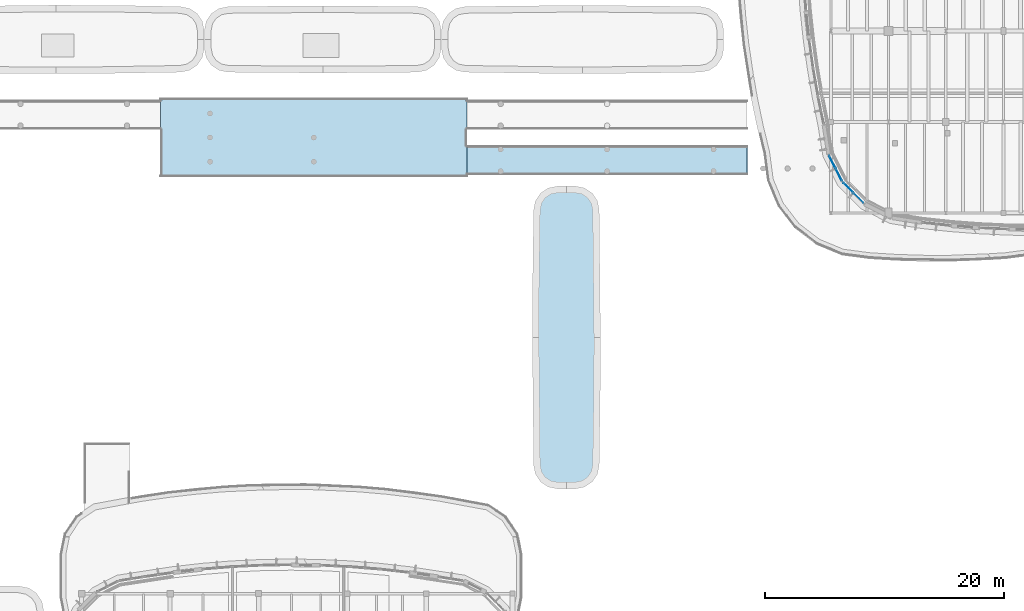
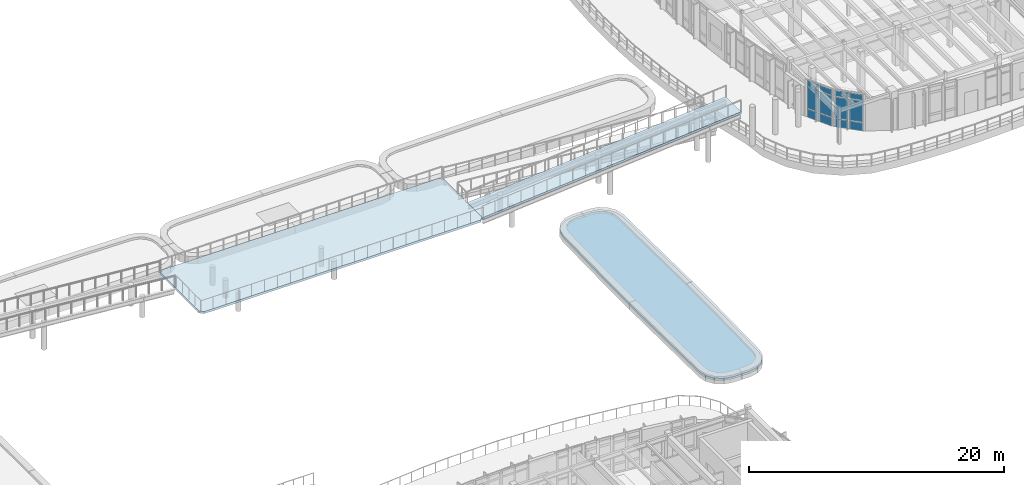
# One storey, part 70 of 111: 12 plates, 3 slabs, 2 elements without a shape of their own.
"""IFC4 building model written with IfcOpenShell, lengths in metres."""

import ifcopenshell
import ifcopenshell.guid

model = None  # the IFC model being written
_history = None  # IfcOwnerHistory: only IFC2X3 demands one
_inside = {}  # id of a spatial element -> (the spatial element, [elements in it])
_under = {}  # id of a project, library or spatial element -> (it, [spatial elements below it])
_declared = {}  # id of a project -> (the project, [libraries it declares])
_typed = {}  # id of a type object -> (the type object, [elements of that type])
_made_of = {}  # id of a material, layer set ... -> (it, [elements and type objects made of it])


def new_model(schema):
    """Start an empty IFC model of exactly this schema.

    Asked for "IFC4X3", IfcOpenShell would pick the latest addendum, in which some entities
    have other attributes; the version numbers below select the first issue.
    IFC2X3 requires an IfcOwnerHistory on every rooted entity: one is made here for all.
    """
    global model, _history
    if schema == "IFC4X3":
        model = ifcopenshell.file(schema_version=(4, 3, 0, 0))
    else:
        model = ifcopenshell.file(schema=schema)
    _inside.clear()
    _under.clear()
    _declared.clear()
    _typed.clear()
    _made_of.clear()
    _history = None
    if model.schema == "IFC2X3":
        org = make("IfcOrganization", Name="unknown")
        user = make(
            "IfcPersonAndOrganization",
            ThePerson=make("IfcPerson", FamilyName="unknown"),
            TheOrganization=org,
        )
        app = make(
            "IfcApplication",
            ApplicationDeveloper=org,
            Version="unknown",
            ApplicationFullName="unknown",
            ApplicationIdentifier="unknown",
        )
        _history = make(
            "IfcOwnerHistory",
            OwningUser=user,
            OwningApplication=app,
            ChangeAction="ADDED",
            CreationDate=0,
        )
    return model


def make(cls, **values):
    """One entity of the class cls with the attributes given. An attribute that is None is left unset."""
    return model.create_entity(
        cls, **{name: value for name, value in values.items() if value is not None}
    )


def rooted(cls, **values):
    """An entity with a GlobalId (a new one), such as an element, a storey or a relation."""
    return make(cls, GlobalId=ifcopenshell.guid.new(), OwnerHistory=_history, **values)


def si_unit(unit_type, name, prefix=None):
    """IfcSIUnit, for example si_unit("LENGTHUNIT", "METRE", prefix="MILLI")."""
    return make("IfcSIUnit", UnitType=unit_type, Prefix=prefix, Name=name)


def assignment(units):
    """IfcUnitAssignment: the units of a project."""
    return None if units is None else make("IfcUnitAssignment", Units=units)


def point(xyz):
    """IfcCartesianPoint."""
    return None if xyz is None else make("IfcCartesianPoint", Coordinates=xyz)


def direction(xyz):
    """IfcDirection."""
    return None if xyz is None else make("IfcDirection", DirectionRatios=xyz)


def frame(location, z_axis=None, x_axis=None):
    """IfcAxis2Placement3D, a coordinate frame: its origin and axes. An axis left out is left unset."""
    return make(
        "IfcAxis2Placement3D",
        Location=point(location),
        Axis=direction(z_axis),
        RefDirection=direction(x_axis),
    )


def frame_2d(location, x_axis=None):
    """IfcAxis2Placement2D, a coordinate frame in the plane: its origin and x axis."""
    return make(
        "IfcAxis2Placement2D", Location=point(location), RefDirection=direction(x_axis)
    )


def origin():
    """The frame at (0, 0, 0) with its axes left unset."""
    return frame((0.0, 0.0, 0.0))


def origin_2d():
    """The frame at (0, 0) in the plane with its x axis left unset."""
    return frame_2d((0.0, 0.0))


def place(relative_to, where):
    """IfcLocalPlacement: puts the frame where relative to a parent placement (None: the world)."""
    return make(
        "IfcLocalPlacement", PlacementRelTo=relative_to, RelativePlacement=where
    )


def context(
    kind, dimensions, precision=None, world=None, true_north=None, identifier=None
):
    """IfcGeometricRepresentationContext, for example the 3D "Model" context."""
    return make(
        "IfcGeometricRepresentationContext",
        ContextIdentifier=identifier,
        ContextType=kind,
        CoordinateSpaceDimension=dimensions,
        Precision=precision,
        WorldCoordinateSystem=world,
        TrueNorth=true_north,
    )


def subcontext(parent, identifier, kind, view, scale=None):
    """IfcGeometricRepresentationSubContext, for example "Body" below "Model"."""
    return make(
        "IfcGeometricRepresentationSubContext",
        ContextIdentifier=identifier,
        ContextType=kind,
        ParentContext=parent,
        TargetScale=scale,
        TargetView=view,
    )


def project(units=None, contexts=None):
    """IfcProject with its units and contexts."""
    return rooted(
        "IfcProject",
        Name="project",
        RepresentationContexts=contexts,
        UnitsInContext=assignment(units),
    )


def spatial(cls, under=None, at=None, **own):
    """A site, building, storey or space (cls), placed at a placement, below another one or the project."""
    s = rooted(cls, ObjectPlacement=at, **own)
    if under is not None:
        _under.setdefault(under.id(), (under, []))[1].append(s)
    return s


def polyline(points):
    """IfcPolyline through the points."""
    return make("IfcPolyline", Points=[point(p) for p in points])


def profile(cls, at=None, kind="AREA", **sizes):
    """A parametric profile (cls). Its sizes go by their IFC names, for example OverallWidth=200.0."""
    return make(cls, ProfileType=kind, Position=at, **sizes)


def rectangle(**sizes):
    """IfcRectangleProfileDef."""
    return profile("IfcRectangleProfileDef", **sizes)


def outline(outer, holes=None, kind="AREA"):
    """IfcArbitraryClosedProfileDef: a profile drawn as a closed curve; with holes, ...WithVoids."""
    if holes is None:
        return make("IfcArbitraryClosedProfileDef", ProfileType=kind, OuterCurve=outer)
    return make(
        "IfcArbitraryProfileDefWithVoids",
        ProfileType=kind,
        OuterCurve=outer,
        InnerCurves=holes,
    )


def extrude(swept, where, along, depth):
    """IfcExtrudedAreaSolid: the profile swept, set in the frame where, extruded along a direction by depth."""
    return make(
        "IfcExtrudedAreaSolid",
        SweptArea=swept,
        Position=where,
        ExtrudedDirection=direction(along),
        Depth=depth,
    )


def shape(context_of_items, identifier, shape_type, items):
    """IfcShapeRepresentation: the items that make up one representation, for example the "Body"."""
    return make(
        "IfcShapeRepresentation",
        ContextOfItems=context_of_items,
        RepresentationIdentifier=identifier,
        RepresentationType=shape_type,
        Items=items,
    )


def material(Name=None, Category=None):
    """IfcMaterial."""
    return make("IfcMaterial", Name=Name, Category=Category)


def layer(
    of_material, thickness, ventilated=None, Name=None, Category=None, Priority=None
):
    """IfcMaterialLayer: one layer of a wall or slab, of a material (None: an air gap)."""
    return make(
        "IfcMaterialLayer",
        Material=of_material,
        LayerThickness=thickness,
        IsVentilated=ventilated,
        Name=Name,
        Category=Category,
        Priority=Priority,
    )


def layer_set(layers, Name=None):
    """IfcMaterialLayerSet."""
    return make("IfcMaterialLayerSet", MaterialLayers=layers, LayerSetName=Name)


def made_of(thing, what):
    """Note that an element or type object is made of a material, layer set ...; save() writes the relation."""
    if what is not None:
        _made_of.setdefault(what.id(), (what, []))[1].append(thing)
    return thing


def type_object(cls, material=None, **own):
    """A type object (cls), such as IfcWallType, which elements share."""
    return made_of(rooted(cls, **own), material)


def element(
    cls,
    number,
    at=None,
    inside=None,
    cuts=None,
    type_object=None,
    material=None,
    context=None,
    identifier="Body",
    shape_type=None,
    held_by="IfcProductDefinitionShape",
    body=None,
    shapes=None,
    **own,
):
    """One element of the class cls, such as IfcWall. Its Tag is "e" and its number.

    at: its placement. inside: the storey or other place that contains it. cuts: it is an
    opening in that element (IfcRelVoidsElement). A single representation is given by context,
    identifier, shape_type and body (its items); several are given by shapes. held_by: the class
    of the entity that holds the representations. save() writes the other relations.
    """
    e = rooted(cls, Tag="e%d" % number, ObjectPlacement=at, **own)
    if body is not None:
        shapes = [shape(context, identifier, shape_type, body)]
    if shapes is not None:
        e.Representation = make(held_by, Representations=shapes)
    if inside is not None:
        _inside.setdefault(inside.id(), (inside, []))[1].append(e)
    if cuts is not None:
        rooted(
            "IfcRelVoidsElement", RelatingBuildingElement=cuts, RelatedOpeningElement=e
        )
    if type_object is not None:
        _typed.setdefault(type_object.id(), (type_object, []))[1].append(e)
    return made_of(e, material)


def aggregate(whole, parts):
    """IfcRelAggregates: a whole, such as a stair, and the parts it consists of."""
    return rooted("IfcRelAggregates", RelatingObject=whole, RelatedObjects=parts)


def save(model, path):
    """Write the relations noted so far, then the file.

    IfcRelAggregates (storeys below a building ...), IfcRelContainedInSpatialStructure (elements
    in a storey), IfcRelDefinesByType, IfcRelAssociatesMaterial and IfcRelDeclares: one each for
    every whole, place, type object, material and project.
    """
    for whole, parts in _under.values():
        aggregate(whole, parts)
    for where, things in _inside.values():
        rooted(
            "IfcRelContainedInSpatialStructure",
            RelatedElements=things,
            RelatingStructure=where,
        )
    for kind, things in _typed.values():
        rooted("IfcRelDefinesByType", RelatedObjects=things, RelatingType=kind)
    for what, things in _made_of.values():
        rooted("IfcRelAssociatesMaterial", RelatedObjects=things, RelatingMaterial=what)
    for by, libraries in _declared.values():
        rooted("IfcRelDeclares", RelatingContext=by, RelatedDefinitions=libraries)
    model.write(path)


model = new_model("IFC4")

# Units and contexts
model_context = context("Model", 3, precision=1e-05, world=origin(), true_north=direction((0.0, 1.0)))
body_context = subcontext(model_context, "Body", "Model", "MODEL_VIEW")
ifc_project = project(units=[si_unit("LENGTHUNIT", "METRE"), si_unit("AREAUNIT", "SQUARE_METRE"), si_unit("VOLUMEUNIT", "CUBIC_METRE"), si_unit("PLANEANGLEUNIT", "RADIAN"), si_unit("MASSUNIT", "GRAM", prefix="KILO")], contexts=[model_context])

# Site, building, storey
site_placement = place(None, origin())
site = spatial("IfcSite", under=ifc_project, at=site_placement, CompositionType="ELEMENT")
building_placement = place(site_placement, origin())
building = spatial("IfcBuilding", under=site, at=building_placement, Name="Corveleigh Park Community Centre", CompositionType="ELEMENT")
storey_placement = place(building_placement, frame((0.0, 0.0, 4.800048828125)))
storey = spatial("IfcBuildingStorey", under=building, at=storey_placement, Name="L01", CompositionType="ELEMENT", Elevation=4.800048828125)

# Curtain wall, plates
ifc_material_1 = material(Name="Anodised aluminium 6063-T6", Category="aluminium")
curtain_wall_type = type_object("IfcCurtainWallType", Name="CW-SYS-V4-L01", PredefinedType="NOTDEFINED", material=ifc_material_1)
curtain_wall_1_placement = place(storey_placement, origin())
curtain_wall_1 = element("IfcCurtainWall", 1, at=curtain_wall_1_placement, inside=storey, type_object=curtain_wall_type, Name="V4 L01 Curtain Wall 299", PredefinedType="NOTDEFINED")
ifc_material_2 = material(Name="Low-E double glazing", Category="glass")
ifc_layer_1 = layer(ifc_material_2, 0.0439453125, Name="Low-E double glazing", Category="glass")
ifc_layer_set_1 = layer_set([ifc_layer_1], Name="Low-E double glazing")
plate_type = type_object("IfcPlateType", Name="CWP-GLZ-44", PredefinedType="CURTAIN_PANEL", material=ifc_layer_set_1)
plate_1_placement = place(storey_placement, frame((135.257080078125, 61.786376953125, 0.074951171875), z_axis=(0.0, 0.0, 1.0), x_axis=(-0.454268707511, 0.89086471553, 0.0)))
plate_1 = element("IfcPlate", 2, at=plate_1_placement, type_object=plate_type, Name="CW08 panel 1.1", PredefinedType="CURTAIN_PANEL", context=body_context, shape_type="SweptSolid", body=[
    extrude(rectangle(XDim=1.124755859375, YDim=0.0439453125, at=origin_2d()), origin(), (0.0, 0.0, 1.0), 0.78759765625),
])
plate_2_placement = place(storey_placement, frame((135.257080078125, 61.786376953125, 0.9375), z_axis=(0.0, 0.0, 1.0), x_axis=(-0.454268707511, 0.89086471553, 0.0)))
plate_2 = element("IfcPlate", 3, at=plate_2_placement, type_object=plate_type, Name="CW08 panel 1.2", PredefinedType="CURTAIN_PANEL", context=body_context, shape_type="SweptSolid", body=[
    extrude(rectangle(XDim=1.124755859375, YDim=0.0439453125, at=origin_2d()), origin(), (0.0, 0.0, 1.0), 2.011962890625),
])
plate_3_placement = place(storey_placement, frame((135.257080078125, 61.786376953125, 3.0244140625), z_axis=(0.0, 0.0, 1.0), x_axis=(-0.454268707511, 0.89086471553, 0.0)))
plate_3 = element("IfcPlate", 4, at=plate_3_placement, type_object=plate_type, Name="CW08 panel 1.3", PredefinedType="CURTAIN_PANEL", context=body_context, shape_type="SweptSolid", body=[
    extrude(rectangle(XDim=1.124755859375, YDim=0.0439453125, at=origin_2d()), origin(), (0.0, 0.0, 1.0), 0.53759765625),
])
plate_4_placement = place(storey_placement, frame((134.709716796875, 62.859619140625, 0.074951171875), z_axis=(0.0, 0.0, 1.0), x_axis=(-0.454268707511, 0.89086471553, 0.0)))
plate_4 = element("IfcPlate", 5, at=plate_4_placement, type_object=plate_type, Name="CW08 panel 2.1", PredefinedType="CURTAIN_PANEL", context=body_context, shape_type="SweptSolid", body=[
    extrude(rectangle(XDim=1.124755859375, YDim=0.0439453125, at=origin_2d()), origin(), (0.0, 0.0, 1.0), 0.78759765625),
])
plate_5_placement = place(storey_placement, frame((134.709716796875, 62.859619140625, 0.9375), z_axis=(0.0, 0.0, 1.0), x_axis=(-0.454268707511, 0.89086471553, 0.0)))
plate_5 = element("IfcPlate", 6, at=plate_5_placement, type_object=plate_type, Name="CW08 panel 2.2", PredefinedType="CURTAIN_PANEL", context=body_context, shape_type="SweptSolid", body=[
    extrude(rectangle(XDim=1.124755859375, YDim=0.0439453125, at=origin_2d()), origin(), (0.0, 0.0, 1.0), 2.011962890625),
])
plate_6_placement = place(storey_placement, frame((134.709716796875, 62.859619140625, 3.0244140625), z_axis=(0.0, 0.0, 1.0), x_axis=(-0.454268707511, 0.89086471553, 0.0)))
plate_6 = element("IfcPlate", 7, at=plate_6_placement, type_object=plate_type, Name="CW08 panel 2.3", PredefinedType="CURTAIN_PANEL", context=body_context, shape_type="SweptSolid", body=[
    extrude(rectangle(XDim=1.124755859375, YDim=0.0439453125, at=origin_2d()), origin(), (0.0, 0.0, 1.0), 0.53759765625),
])
aggregate(curtain_wall_1, [plate_1, plate_2, plate_3, plate_4, plate_5, plate_6])

curtain_wall_2_placement = place(storey_placement, origin())
curtain_wall_2 = element("IfcCurtainWall", 8, at=curtain_wall_2_placement, inside=storey, type_object=curtain_wall_type, Name="V4 L01 Curtain Wall 300", PredefinedType="NOTDEFINED")
plate_7_placement = place(storey_placement, frame((136.89794921875, 59.84814453125, 0.080078125), z_axis=(0.0, 0.0, 1.0), x_axis=(-0.707106781187, 0.707106781187, 0.0)))
plate_7 = element("IfcPlate", 9, at=plate_7_placement, type_object=plate_type, Name="CW08 panel 1.1", PredefinedType="CURTAIN_PANEL", context=body_context, shape_type="SweptSolid", body=[
    extrude(rectangle(XDim=1.116943359375, YDim=0.0439453125, at=origin_2d()), origin(), (0.0, 0.0, 1.0), 0.780029296875),
])
plate_8_placement = place(storey_placement, frame((136.89794921875, 59.84814453125, 0.93994140625), z_axis=(0.0, 0.0, 1.0), x_axis=(-0.707106781187, 0.707106781187, 0.0)))
plate_8 = element("IfcPlate", 10, at=plate_8_placement, type_object=plate_type, Name="CW08 panel 1.2", PredefinedType="CURTAIN_PANEL", context=body_context, shape_type="SweptSolid", body=[
    extrude(rectangle(XDim=1.116943359375, YDim=0.0439453125, at=origin_2d()), origin(), (0.0, 0.0, 1.0), 2.007080078125),
])
plate_9_placement = place(storey_placement, frame((136.89794921875, 59.84814453125, 3.02685546875), z_axis=(0.0, 0.0, 1.0), x_axis=(-0.707106781187, 0.707106781187, 0.0)))
plate_9 = element("IfcPlate", 11, at=plate_9_placement, type_object=plate_type, Name="CW08 panel 1.3", PredefinedType="CURTAIN_PANEL", context=body_context, shape_type="SweptSolid", body=[
    extrude(rectangle(XDim=1.116943359375, YDim=0.0439453125, at=origin_2d()), origin(), (0.0, 0.0, 1.0), 0.530029296875),
])
plate_10_placement = place(storey_placement, frame((136.048095703125, 60.697998046875, 0.080078125), z_axis=(0.0, 0.0, 1.0), x_axis=(-0.707106781187, 0.707106781187, 0.0)))
plate_10 = element("IfcPlate", 12, at=plate_10_placement, type_object=plate_type, Name="CW08 panel 2.1", PredefinedType="CURTAIN_PANEL", context=body_context, shape_type="SweptSolid", body=[
    extrude(rectangle(XDim=1.116943359375, YDim=0.0439453125, at=origin_2d()), origin(), (0.0, 0.0, 1.0), 0.780029296875),
])
plate_11_placement = place(storey_placement, frame((136.048095703125, 60.697998046875, 0.93994140625), z_axis=(0.0, 0.0, 1.0), x_axis=(-0.707106781187, 0.707106781187, 0.0)))
plate_11 = element("IfcPlate", 13, at=plate_11_placement, type_object=plate_type, Name="CW08 panel 2.2", PredefinedType="CURTAIN_PANEL", context=body_context, shape_type="SweptSolid", body=[
    extrude(rectangle(XDim=1.116943359375, YDim=0.0439453125, at=origin_2d()), origin(), (0.0, 0.0, 1.0), 2.007080078125),
])
plate_12_placement = place(storey_placement, frame((136.048095703125, 60.697998046875, 3.02685546875), z_axis=(0.0, 0.0, 1.0), x_axis=(-0.707106781187, 0.707106781187, 0.0)))
plate_12 = element("IfcPlate", 14, at=plate_12_placement, type_object=plate_type, Name="CW08 panel 2.3", PredefinedType="CURTAIN_PANEL", context=body_context, shape_type="SweptSolid", body=[
    extrude(rectangle(XDim=1.116943359375, YDim=0.0439453125, at=origin_2d()), origin(), (0.0, 0.0, 1.0), 0.530029296875),
])
aggregate(curtain_wall_2, [plate_7, plate_8, plate_9, plate_10, plate_11, plate_12])

# Slabs
ifc_material_3 = material(Name="Concrete C32/40", Category="concrete")
ifc_layer_2 = layer(ifc_material_3, 0.2041015625, Name="Concrete C32/40", Category="concrete")
ifc_layer_set_2 = layer_set([ifc_layer_2], Name="Concrete C32/40")
slab_type_1 = type_object("IfcSlabType", Name="SLB-LND-204", PredefinedType="LANDING", material=ifc_layer_set_2)
slab_1_placement = place(storey_placement, frame((0.0, 0.0, 1.745849609375)))
element("IfcSlab", 15, at=slab_1_placement, inside=storey, type_object=slab_type_1, Name="Central Courtyard Promenade Mid Deck", PredefinedType="LANDING", context=body_context, shape_type="SweptSolid", body=[
    extrude(outline(polyline([(78.89990234375, 61.60009765625), (103.89990234375, 61.60009765625), (104.199951171875, 61.89990234375), (104.199951171875, 67.89990234375), (103.89990234375, 68.199951171875), (78.89990234375, 68.199951171875), (78.60009765625, 67.89990234375), (78.60009765625, 61.89990234375), (78.89990234375, 61.60009765625)])), origin(), (0.0, 0.0, 1.0), 0.2041015625),
])
slab_2_placement = place(storey_placement, frame((104.199951171875, 61.800048828125, 1.949951171875), z_axis=(-0.083042898465, 0.0, 0.996545973357), x_axis=(0.996545973357, 0.0, 0.083042898465)))
element("IfcSlab", 16, at=slab_2_placement, inside=storey, type_object=slab_type_1, Name="Courtyard East Roof Promenade Ramp Upper", PredefinedType="LANDING", context=body_context, shape_type="SweptSolid", body=[
    extrude(outline(polyline([(0.0, 0.0), (23.48125135215124, 0.0), (23.48125135215124, 2.39990234375), (0.0, 2.39990234375), (0.0, 0.0)])), origin(), (0.0, 0.0, -1.0), 0.2041015625),
])
ifc_layer_3 = layer(ifc_material_3, 0.2119140625, Name="Concrete C32/40", Category="concrete")
ifc_layer_set_3 = layer_set([ifc_layer_3], Name="Concrete C32/40")
slab_type_2 = type_object("IfcSlabType", Name="SLB-ROF-212", PredefinedType="ROOF", material=ifc_layer_set_3)
slab_3_placement = place(storey_placement, frame((0.0, 0.0, -0.212158203125)))
element("IfcSlab", 17, at=slab_3_placement, inside=storey, type_object=slab_type_2, Name="Covered Passage East Canopy", PredefinedType="ROOF", context=body_context, shape_type="SweptSolid", body=[
    extrude(outline(polyline([(111.0, 35.748046875), (110.368896484375, 36.1689453125), (109.947998046875, 36.800048828125), (109.800048828125, 37.5439453125), (109.69091796875, 47.01611328125), (109.701904296875, 51.751953125), (109.800048828125, 58.85595703125), (109.947998046875, 59.60009765625), (110.368896484375, 60.23095703125), (111.0, 60.652099609375), (111.743896484375, 60.800048828125), (113.256103515625, 60.800048828125), (114.0, 60.652099609375), (114.631103515625, 60.23095703125), (115.052001953125, 59.60009765625), (115.199951171875, 58.85595703125), (115.30908203125, 49.384033203125), (115.298095703125, 44.64794921875), (115.199951171875, 37.5439453125), (115.052001953125, 36.800048828125), (114.631103515625, 36.1689453125), (114.0, 35.748046875), (113.256103515625, 35.60009765625), (111.743896484375, 35.60009765625), (111.0, 35.748046875)])), origin(), (0.0, 0.0, 1.0), 0.212158203125),
])

save(model, "model.ifc")
